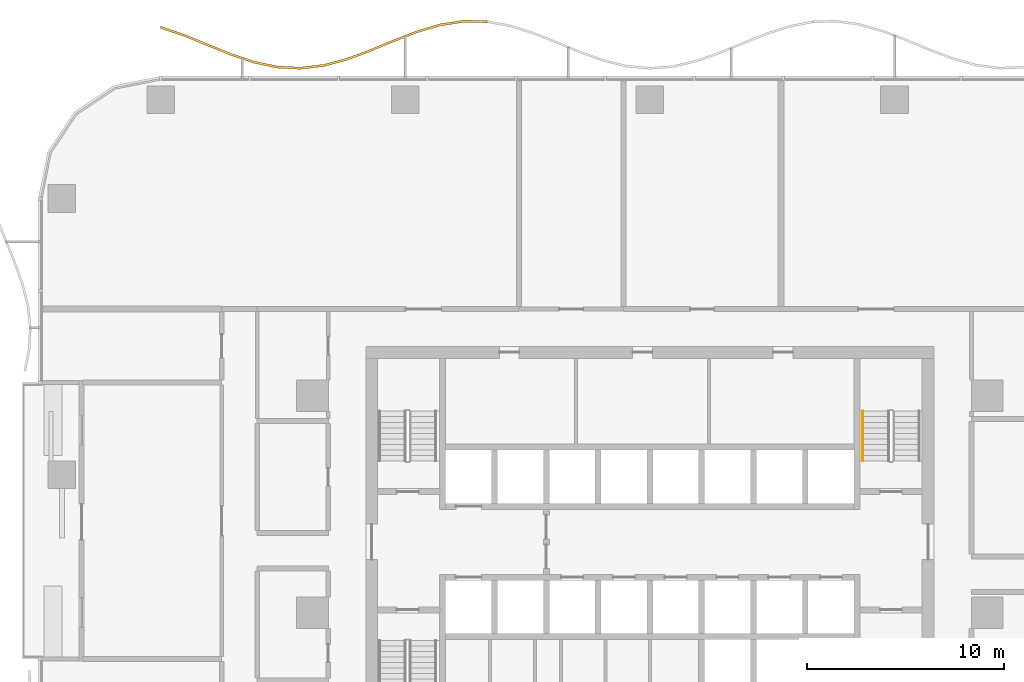
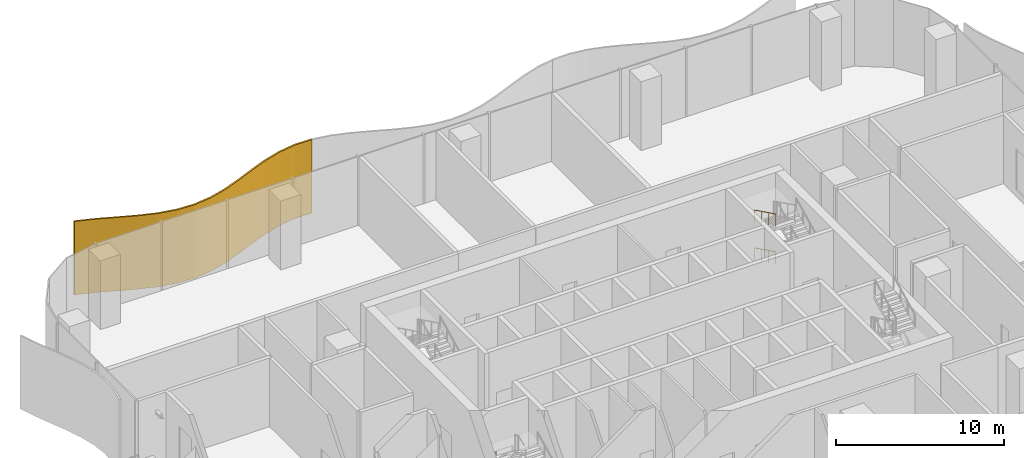
# One storey, part 19 of 21: 2 railings, 1 shading device.
"""IFC4 building model written with IfcOpenShell, lengths in metres."""

import ifcopenshell
import ifcopenshell.guid

model = None  # the IFC model being written
_history = None  # IfcOwnerHistory: only IFC2X3 demands one
_inside = {}  # id of a spatial element -> (the spatial element, [elements in it])
_under = {}  # id of a project, library or spatial element -> (it, [spatial elements below it])
_declared = {}  # id of a project -> (the project, [libraries it declares])
_typed = {}  # id of a type object -> (the type object, [elements of that type])
_made_of = {}  # id of a material, layer set ... -> (it, [elements and type objects made of it])


def new_model(schema):
    """Start an empty IFC model of exactly this schema.

    Asked for "IFC4X3", IfcOpenShell would pick the latest addendum, in which some entities
    have other attributes; the version numbers below select the first issue.
    IFC2X3 requires an IfcOwnerHistory on every rooted entity: one is made here for all.
    """
    global model, _history
    if schema == "IFC4X3":
        model = ifcopenshell.file(schema_version=(4, 3, 0, 0))
    else:
        model = ifcopenshell.file(schema=schema)
    _inside.clear()
    _under.clear()
    _declared.clear()
    _typed.clear()
    _made_of.clear()
    _history = None
    if model.schema == "IFC2X3":
        org = make("IfcOrganization", Name="unknown")
        user = make(
            "IfcPersonAndOrganization",
            ThePerson=make("IfcPerson", FamilyName="unknown"),
            TheOrganization=org,
        )
        app = make(
            "IfcApplication",
            ApplicationDeveloper=org,
            Version="unknown",
            ApplicationFullName="unknown",
            ApplicationIdentifier="unknown",
        )
        _history = make(
            "IfcOwnerHistory",
            OwningUser=user,
            OwningApplication=app,
            ChangeAction="ADDED",
            CreationDate=0,
        )
    return model


def make(cls, **values):
    """One entity of the class cls with the attributes given. An attribute that is None is left unset."""
    return model.create_entity(
        cls, **{name: value for name, value in values.items() if value is not None}
    )


def rooted(cls, **values):
    """An entity with a GlobalId (a new one), such as an element, a storey or a relation."""
    return make(cls, GlobalId=ifcopenshell.guid.new(), OwnerHistory=_history, **values)


def si_unit(unit_type, name, prefix=None):
    """IfcSIUnit, for example si_unit("LENGTHUNIT", "METRE", prefix="MILLI")."""
    return make("IfcSIUnit", UnitType=unit_type, Prefix=prefix, Name=name)


def assignment(units):
    """IfcUnitAssignment: the units of a project."""
    return None if units is None else make("IfcUnitAssignment", Units=units)


def point(xyz):
    """IfcCartesianPoint."""
    return None if xyz is None else make("IfcCartesianPoint", Coordinates=xyz)


def direction(xyz):
    """IfcDirection."""
    return None if xyz is None else make("IfcDirection", DirectionRatios=xyz)


def frame(location, z_axis=None, x_axis=None):
    """IfcAxis2Placement3D, a coordinate frame: its origin and axes. An axis left out is left unset."""
    return make(
        "IfcAxis2Placement3D",
        Location=point(location),
        Axis=direction(z_axis),
        RefDirection=direction(x_axis),
    )


def frame_2d(location, x_axis=None):
    """IfcAxis2Placement2D, a coordinate frame in the plane: its origin and x axis."""
    return make(
        "IfcAxis2Placement2D", Location=point(location), RefDirection=direction(x_axis)
    )


def origin():
    """The frame at (0, 0, 0) with its axes left unset."""
    return frame((0.0, 0.0, 0.0))


def origin_2d():
    """The frame at (0, 0) in the plane with its x axis left unset."""
    return frame_2d((0.0, 0.0))


def place(relative_to, where):
    """IfcLocalPlacement: puts the frame where relative to a parent placement (None: the world)."""
    return make(
        "IfcLocalPlacement", PlacementRelTo=relative_to, RelativePlacement=where
    )


def context(
    kind, dimensions, precision=None, world=None, true_north=None, identifier=None
):
    """IfcGeometricRepresentationContext, for example the 3D "Model" context."""
    return make(
        "IfcGeometricRepresentationContext",
        ContextIdentifier=identifier,
        ContextType=kind,
        CoordinateSpaceDimension=dimensions,
        Precision=precision,
        WorldCoordinateSystem=world,
        TrueNorth=true_north,
    )


def subcontext(parent, identifier, kind, view, scale=None):
    """IfcGeometricRepresentationSubContext, for example "Body" below "Model"."""
    return make(
        "IfcGeometricRepresentationSubContext",
        ContextIdentifier=identifier,
        ContextType=kind,
        ParentContext=parent,
        TargetScale=scale,
        TargetView=view,
    )


def project(units=None, contexts=None):
    """IfcProject with its units and contexts."""
    return rooted(
        "IfcProject",
        Name="project",
        RepresentationContexts=contexts,
        UnitsInContext=assignment(units),
    )


def spatial(cls, under=None, at=None, **own):
    """A site, building, storey or space (cls), placed at a placement, below another one or the project."""
    s = rooted(cls, ObjectPlacement=at, **own)
    if under is not None:
        _under.setdefault(under.id(), (under, []))[1].append(s)
    return s


def polyline(points):
    """IfcPolyline through the points."""
    return make("IfcPolyline", Points=[point(p) for p in points])


def profile(cls, at=None, kind="AREA", **sizes):
    """A parametric profile (cls). Its sizes go by their IFC names, for example OverallWidth=200.0."""
    return make(cls, ProfileType=kind, Position=at, **sizes)


def circle(**sizes):
    """IfcCircleProfileDef."""
    return profile("IfcCircleProfileDef", **sizes)


def outline(outer, holes=None, kind="AREA"):
    """IfcArbitraryClosedProfileDef: a profile drawn as a closed curve; with holes, ...WithVoids."""
    if holes is None:
        return make("IfcArbitraryClosedProfileDef", ProfileType=kind, OuterCurve=outer)
    return make(
        "IfcArbitraryProfileDefWithVoids",
        ProfileType=kind,
        OuterCurve=outer,
        InnerCurves=holes,
    )


def extrude(swept, where, along, depth):
    """IfcExtrudedAreaSolid: the profile swept, set in the frame where, extruded along a direction by depth."""
    return make(
        "IfcExtrudedAreaSolid",
        SweptArea=swept,
        Position=where,
        ExtrudedDirection=direction(along),
        Depth=depth,
    )


def shape(context_of_items, identifier, shape_type, items):
    """IfcShapeRepresentation: the items that make up one representation, for example the "Body"."""
    return make(
        "IfcShapeRepresentation",
        ContextOfItems=context_of_items,
        RepresentationIdentifier=identifier,
        RepresentationType=shape_type,
        Items=items,
    )


def material(Name=None, Category=None):
    """IfcMaterial."""
    return make("IfcMaterial", Name=Name, Category=Category)


def layer(
    of_material, thickness, ventilated=None, Name=None, Category=None, Priority=None
):
    """IfcMaterialLayer: one layer of a wall or slab, of a material (None: an air gap)."""
    return make(
        "IfcMaterialLayer",
        Material=of_material,
        LayerThickness=thickness,
        IsVentilated=ventilated,
        Name=Name,
        Category=Category,
        Priority=Priority,
    )


def layer_set(layers, Name=None):
    """IfcMaterialLayerSet."""
    return make("IfcMaterialLayerSet", MaterialLayers=layers, LayerSetName=Name)


def made_of(thing, what):
    """Note that an element or type object is made of a material, layer set ...; save() writes the relation."""
    if what is not None:
        _made_of.setdefault(what.id(), (what, []))[1].append(thing)
    return thing


def type_object(cls, material=None, **own):
    """A type object (cls), such as IfcWallType, which elements share."""
    return made_of(rooted(cls, **own), material)


def element(
    cls,
    number,
    at=None,
    inside=None,
    cuts=None,
    type_object=None,
    material=None,
    context=None,
    identifier="Body",
    shape_type=None,
    held_by="IfcProductDefinitionShape",
    body=None,
    shapes=None,
    **own,
):
    """One element of the class cls, such as IfcWall. Its Tag is "e" and its number.

    at: its placement. inside: the storey or other place that contains it. cuts: it is an
    opening in that element (IfcRelVoidsElement). A single representation is given by context,
    identifier, shape_type and body (its items); several are given by shapes. held_by: the class
    of the entity that holds the representations. save() writes the other relations.
    """
    e = rooted(cls, Tag="e%d" % number, ObjectPlacement=at, **own)
    if body is not None:
        shapes = [shape(context, identifier, shape_type, body)]
    if shapes is not None:
        e.Representation = make(held_by, Representations=shapes)
    if inside is not None:
        _inside.setdefault(inside.id(), (inside, []))[1].append(e)
    if cuts is not None:
        rooted(
            "IfcRelVoidsElement", RelatingBuildingElement=cuts, RelatedOpeningElement=e
        )
    if type_object is not None:
        _typed.setdefault(type_object.id(), (type_object, []))[1].append(e)
    return made_of(e, material)


def aggregate(whole, parts):
    """IfcRelAggregates: a whole, such as a stair, and the parts it consists of."""
    return rooted("IfcRelAggregates", RelatingObject=whole, RelatedObjects=parts)


def save(model, path):
    """Write the relations noted so far, then the file.

    IfcRelAggregates (storeys below a building ...), IfcRelContainedInSpatialStructure (elements
    in a storey), IfcRelDefinesByType, IfcRelAssociatesMaterial and IfcRelDeclares: one each for
    every whole, place, type object, material and project.
    """
    for whole, parts in _under.values():
        aggregate(whole, parts)
    for where, things in _inside.values():
        rooted(
            "IfcRelContainedInSpatialStructure",
            RelatedElements=things,
            RelatingStructure=where,
        )
    for kind, things in _typed.values():
        rooted("IfcRelDefinesByType", RelatedObjects=things, RelatingType=kind)
    for what, things in _made_of.values():
        rooted("IfcRelAssociatesMaterial", RelatedObjects=things, RelatingMaterial=what)
    for by, libraries in _declared.values():
        rooted("IfcRelDeclares", RelatingContext=by, RelatedDefinitions=libraries)
    model.write(path)


model = new_model("IFC4")

# Units and contexts
model_context = context("Model", 3, precision=1e-05, world=origin(), true_north=direction((0.0, 1.0)))
body_context = subcontext(model_context, "Body", "Model", "MODEL_VIEW")
ifc_project = project(units=[si_unit("LENGTHUNIT", "METRE"), si_unit("AREAUNIT", "SQUARE_METRE"), si_unit("VOLUMEUNIT", "CUBIC_METRE"), si_unit("PLANEANGLEUNIT", "RADIAN"), si_unit("MASSUNIT", "GRAM", prefix="KILO")], contexts=[model_context])

# Site, building, storey
site_placement = place(None, origin())
site = spatial("IfcSite", under=ifc_project, at=site_placement, CompositionType="ELEMENT")
building_placement = place(site_placement, origin())
building = spatial("IfcBuilding", under=site, at=building_placement, Name="Mopane Tessera Tower", CompositionType="ELEMENT")
storey_placement = place(building_placement, frame((0.0, 0.0, 20.0)))
storey = spatial("IfcBuildingStorey", under=building, at=storey_placement, Name="L03", CompositionType="ELEMENT", Elevation=20.0)

# Railings
ifc_material_1 = material(Name="Powder-coated steel balustrade", Category="steel")
railing_type = type_object("IfcRailingType", Name="Escape stair handrail 900 mm", PredefinedType="HANDRAIL", material=ifc_material_1)
for number, where, name in (
    (1, (10.800048828125, 10.219970703125, 1.512451171875), "L03 ST4 stair handrail 2"),
    (2, (10.800048828125, 10.219970703125, 4.262451171875), "L03 ST4 stair handrail 4"),
):
    element("IfcRailing", number, at=place(storey_placement, frame(where)), inside=storey, type_object=railing_type, Name=name, PredefinedType="HANDRAIL", context=body_context, shape_type="SweptSolid", body=[
        extrude(circle(Radius=0.02392578125, at=origin_2d()), frame((0.0, 0.0, 0.8759765625), z_axis=(0.0, -0.897604431175, 0.440801866075), x_axis=(1.0, 0.0, 0.0)), (0.0, 0.0, 1.0), 2.807373046875),
        extrude(circle(Radius=0.02099609375, at=origin_2d()), origin(), (0.0, 0.0, 1.0), 0.851806640625),
        extrude(circle(Radius=0.02099609375, at=origin_2d()), frame((0.0, -0.840087890625, 0.41259765625)), (0.0, 0.0, 1.0), 0.851806640625),
        extrude(circle(Radius=0.02099609375, at=origin_2d()), frame((0.0, -1.679931640625, 0.824951171875)), (0.0, 0.0, 1.0), 0.851806640625),
        extrude(circle(Radius=0.02099609375, at=origin_2d()), frame((0.0, -2.52001953125, 1.237548828125)), (0.0, 0.0, 1.0), 0.851806640625),
    ])

# Shading device
ifc_material_2 = material(Name="Anodised aluminium louvre blades", Category="aluminium")
ifc_layer = layer(ifc_material_2, 0.1201171875)
ifc_layer_set = layer_set([ifc_layer], Name="Anodised aluminium louvre blades")
shading_device_type = type_object("IfcShadingDeviceType", Name="Wave louvre screen", PredefinedType="JALOUSIE", material=ifc_layer_set)
shading_device_placement = place(storey_placement, frame((0.0, 0.0, -0.340087890625)))
element("IfcShadingDevice", 3, at=shading_device_placement, inside=storey, type_object=shading_device_type, Name="e:lv:L03:N:2", PredefinedType="JALOUSIE", context=body_context, shape_type="SweptSolid", body=[
    extrude(outline(polyline([(-8.2666015625, 29.906005859375), (-9.447509765625, 29.921875), (-10.628662109375, 29.73974609375), (-11.8095703125, 29.39013671875), (-12.990478515625, 28.931640625), (-14.17138671875, 28.44091796875), (-15.352294921875, 28.00048828125), (-16.533447265625, 27.683837890625), (-17.71435546875, 27.5439453125), (-18.895263671875, 27.604736328125), (-20.076171875, 27.855712890625), (-21.257080078125, 28.254638671875), (-22.43798828125, 28.735107421875), (-23.619140625, 29.21630859375), (-24.800048828125, 29.61767578125), (-24.800048828125, 29.737548828125), (-23.619140625, 29.336181640625), (-22.43798828125, 28.85498046875), (-21.257080078125, 28.374755859375), (-20.076171875, 27.9755859375), (-18.895263671875, 27.724609375), (-17.71435546875, 27.6640625), (-16.533447265625, 27.8037109375), (-15.352294921875, 28.120361328125), (-14.17138671875, 28.56103515625), (-12.990478515625, 29.0517578125), (-11.8095703125, 29.51025390625), (-10.628662109375, 29.85986328125), (-9.447509765625, 30.0419921875), (-8.2666015625, 30.026123046875), (-8.2666015625, 29.906005859375)])), origin(), (0.0, 0.0, 1.0), 5.340087890625),
])

save(model, "model.ifc")
